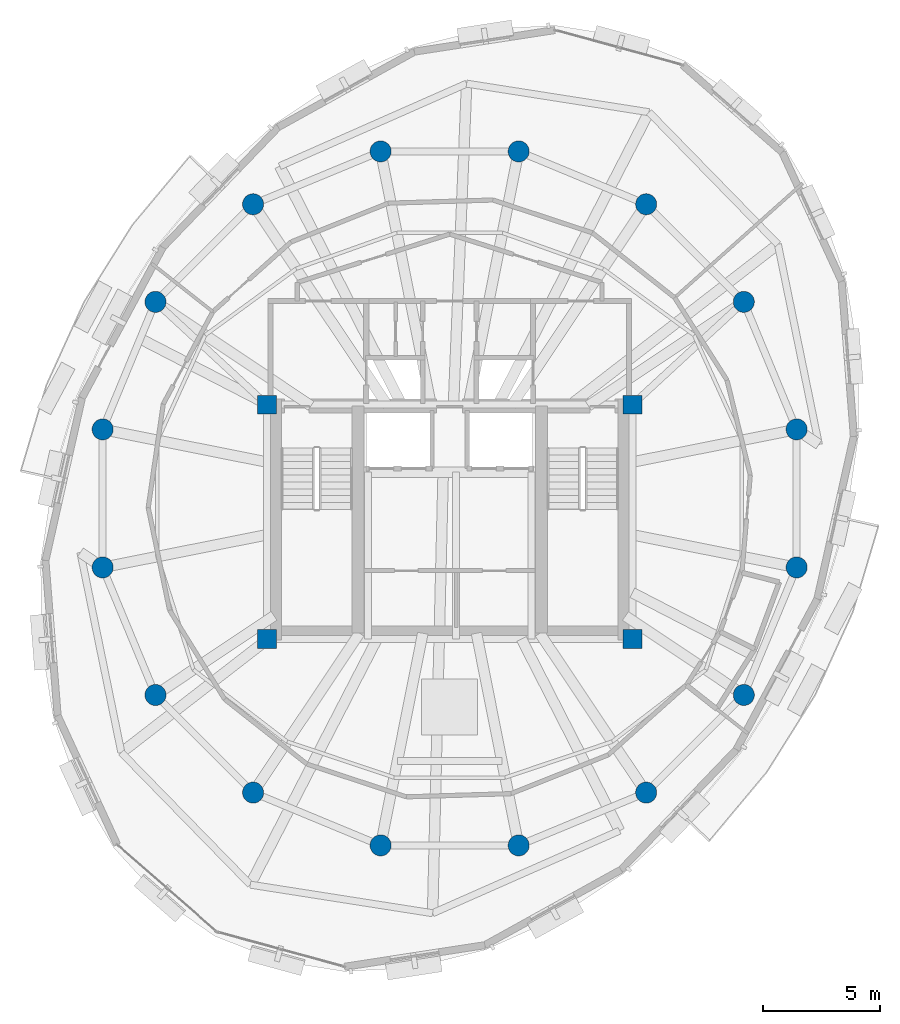
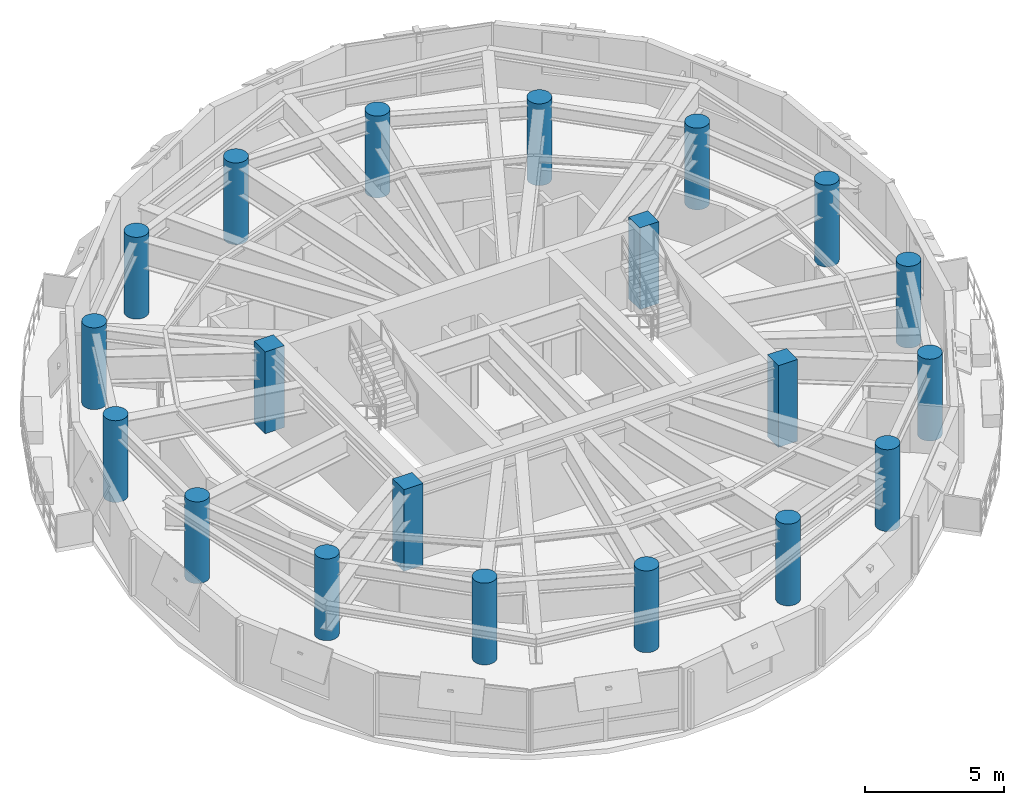
# One storey, part 1 of 11: 20 columns.
"""IFC4 building model written with IfcOpenShell, lengths in metres."""

from ifc_helpers import new_model, si_unit, direction, frame, origin, origin_2d, place, context, subcontext, project, spatial, rectangle, circle, extrude, material, material_profile, profile_set, type_object, element, save


model = new_model("IFC4")

# Units and contexts
model_context = context("Model", 3, precision=1e-05, world=origin(), true_north=direction((0.0, 1.0)))
body_context = subcontext(model_context, "Body", "Model", "MODEL_VIEW")
ifc_project = project(units=[si_unit("LENGTHUNIT", "METRE"), si_unit("AREAUNIT", "SQUARE_METRE"), si_unit("VOLUMEUNIT", "CUBIC_METRE"), si_unit("PLANEANGLEUNIT", "RADIAN"), si_unit("MASSUNIT", "GRAM", prefix="KILO"), si_unit("THERMODYNAMICTEMPERATUREUNIT", "KELVIN"), si_unit("POWERUNIT", "WATT")], contexts=[model_context])

# Site, building, storey
site_placement = place(None, origin())
site = spatial("IfcSite", under=ifc_project, at=site_placement, CompositionType="ELEMENT")
building_placement = place(site_placement, origin())
building = spatial("IfcBuilding", under=site, at=building_placement, Name="Ocrelia Relay Tower", CompositionType="ELEMENT")
storey_placement = place(building_placement, frame((0.0, 0.0, 284.39990234375)))
storey = spatial("IfcBuildingStorey", under=building, at=storey_placement, Name="L71", CompositionType="ELEMENT", Elevation=284.39990234375)

# Columns
ifc_material_1 = material(Name="Concrete C50/60", Category="concrete")
ifc_material_profile_1 = material_profile(ifc_material_1, circle(Radius=0.449951171875, at=origin_2d()), Name="RC-CIR-900")
ifc_profile_set_1 = profile_set([ifc_material_profile_1], Name="Concrete C50/60")
column_type_1 = type_object("IfcColumnType", Name="COL-CT-900", PredefinedType="COLUMN", material=ifc_profile_set_1)
for number, where, z_axis, x_axis, name in (
    (1, (48.809814453125, 28.94580078125, 0.0), (0.0, 0.0, 1.0), (1.0, 0.0, 0.0), "L71 Perimeter Ring Column C01"),
    (2, (46.55517578125, 34.38916015625, 0.0), (0.0, 0.0, 1.0), (1.0, 0.0, 0.0), "L71 Perimeter Ring Column C02"),
    (3, (42.38916015625, 38.55517578125, 0.0), (0.0, 0.0, 1.0), (1.0, 0.0, 0.0), "L71 Perimeter Ring Column C03"),
    (4, (36.94580078125, 40.809814453125, 0.0), (0.0, 0.0, 1.0), (1.0, 0.0, 0.0), "L71 Perimeter Ring Column C04"),
    (5, (31.05419921875, 40.809814453125, 0.0), (0.0, 0.0, 1.0), (1.0, 0.0, 0.0), "L71 Perimeter Ring Column C05"),
    (6, (25.61083984375, 38.55517578125, 0.0), (0.0, 0.0, 1.0), (1.0, 0.0, 0.0), "L71 Perimeter Ring Column C06"),
    (7, (21.44482421875, 34.38916015625, 0.0), (0.0, 0.0, 1.0), (1.0, 0.0, 0.0), "L71 Perimeter Ring Column C07"),
    (8, (19.190185546875, 28.94580078125, 0.0), (0.0, 0.0, 1.0), (1.0, 0.0, 0.0), "L71 Perimeter Ring Column C08"),
    (9, (19.190185546875, 23.05419921875, 0.0), (0.0, 0.0, 1.0), (1.0, 0.0, 0.0), "L71 Perimeter Ring Column C09"),
    (10, (21.44482421875, 17.61083984375, 0.0), (0.0, 0.0, 1.0), (1.0, 0.0, 0.0), "L71 Perimeter Ring Column C10"),
    (11, (25.61083984375, 13.44482421875, 0.0), (0.0, 0.0, 1.0), (1.0, 0.0, 0.0), "L71 Perimeter Ring Column C11"),
    (12, (31.05419921875, 11.190185546875, 0.0), (0.0, 0.0, 1.0), (1.0, 0.0, 0.0), "L71 Perimeter Ring Column C12"),
    (13, (36.94580078125, 11.190185546875, 0.0), (0.0, 0.0, 1.0), (1.0, 0.0, 0.0), "L71 Perimeter Ring Column C13"),
    (14, (42.38916015625, 13.44482421875, 0.0), (0.0, 0.0, 1.0), (1.0, 0.0, 0.0), "L71 Perimeter Ring Column C14"),
    (15, (46.55517578125, 17.61083984375, 0.0), (0.0, 0.0, 1.0), (1.0, 0.0, 0.0), "L71 Perimeter Ring Column C15"),
    (16, (48.809814453125, 23.05419921875, 0.0), (0.0, 0.0, 1.0), (1.0, 0.0, 0.0), "L71 Perimeter Ring Column C16"),
):
    element("IfcColumn", number, at=place(storey_placement, frame(where, z_axis=z_axis, x_axis=x_axis)), inside=storey, type_object=column_type_1, Name=name, PredefinedType="COLUMN", context=body_context, shape_type="SweptSolid", body=[
        extrude(circle(Radius=0.449951171875, at=origin_2d()), origin(), (0.0, 0.0, 1.0), 3.60009765625),
    ])
ifc_material_2 = material(Name="Concrete C60/75", Category="concrete")
ifc_material_profile_2 = material_profile(ifc_material_2, rectangle(XDim=0.800048828125, YDim=0.800048828125, at=origin_2d()), Name="RC-COL-800x800")
ifc_profile_set_2 = profile_set([ifc_material_profile_2], Name="Concrete C60/75")
column_type_2 = type_object("IfcColumnType", Name="COL-PILASTER-800", PredefinedType="PILASTER", material=ifc_profile_set_2)
for number, where, z_axis, x_axis, name in (
    (17, (26.199951171875, 20.0, 0.0), (0.0, 0.0, 1.0), (1.0, 0.0, 0.0), "L71 Core Corner Pilaster SW"),
    (18, (41.800048828125, 20.0, 0.0), (0.0, 0.0, 1.0), (1.0, 0.0, 0.0), "L71 Core Corner Pilaster SE"),
    (19, (26.199951171875, 30.0, 0.0), (0.0, 0.0, 1.0), (1.0, 0.0, 0.0), "L71 Core Corner Pilaster NW"),
    (20, (41.800048828125, 30.0, 0.0), (0.0, 0.0, 1.0), (1.0, 0.0, 0.0), "L71 Core Corner Pilaster NE"),
):
    element("IfcColumn", number, at=place(storey_placement, frame(where, z_axis=z_axis, x_axis=x_axis)), inside=storey, type_object=column_type_2, Name=name, PredefinedType="PILASTER", context=body_context, shape_type="SweptSolid", body=[
        extrude(rectangle(XDim=0.800048828125, YDim=0.800048828125, at=origin_2d()), origin(), (0.0, 0.0, 1.0), 3.60009765625),
    ])

save(model, "model.ifc")
